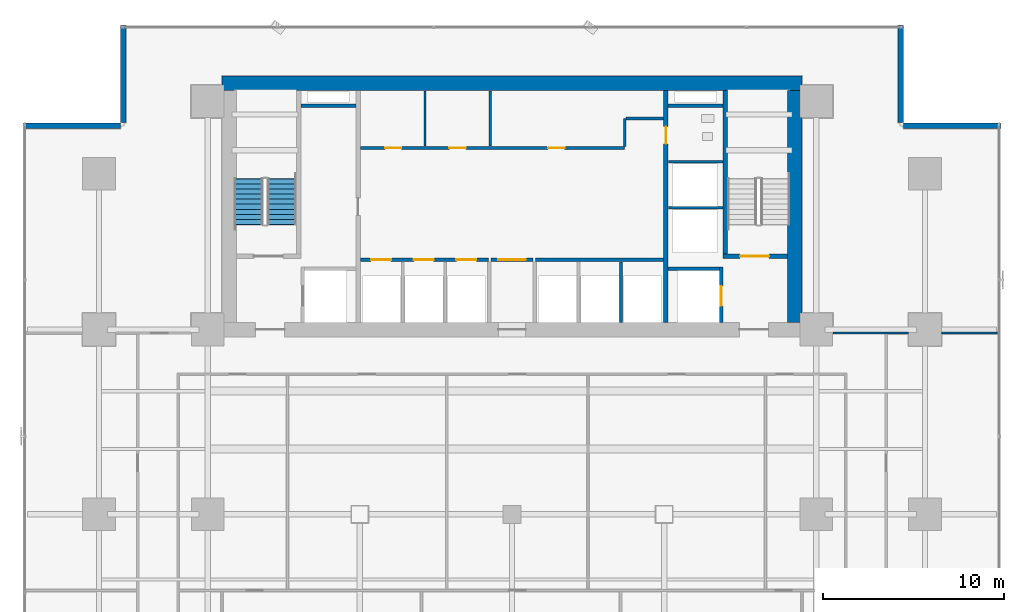
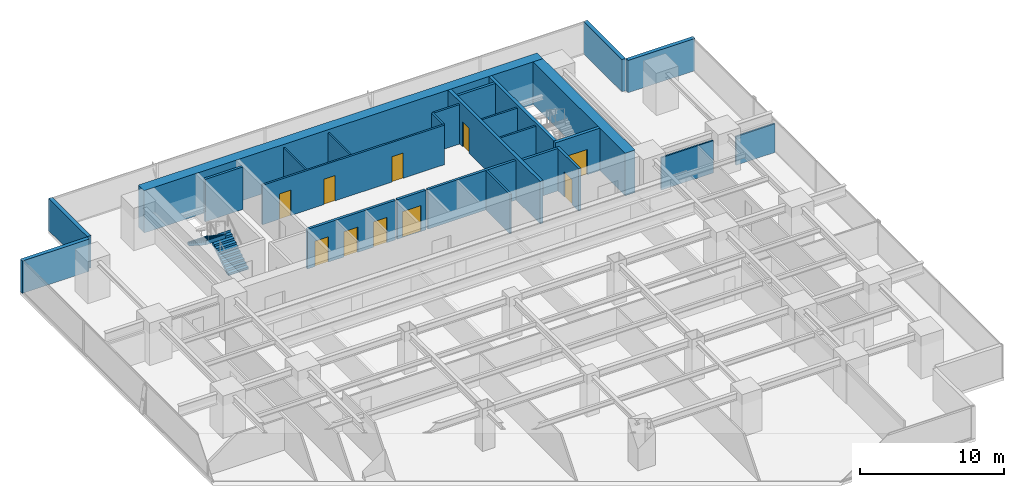
# One storey, part 26 of 33: 26 walls, 10 doors, 2 stair flights, 10 openings, 1 element without a shape of its own.
"""IFC4 building model written with IfcOpenShell, lengths in metres."""

from ifc_helpers import new_model, si_unit, direction, frame, frame_2d, origin, place, context, subcontext, project, spatial, polyline, rectangle, outline, extrude, source, transform, mapped, material, layer, layer_set, type_object, element, fill, aggregate, save


model = new_model("IFC4")

# Units and contexts
model_context = context("Model", 3, precision=1e-05, world=origin(), true_north=direction((0.0, 1.0)))
body_context = subcontext(model_context, "Body", "Model", "MODEL_VIEW")
ifc_project = project(units=[si_unit("LENGTHUNIT", "METRE"), si_unit("AREAUNIT", "SQUARE_METRE"), si_unit("VOLUMEUNIT", "CUBIC_METRE"), si_unit("PLANEANGLEUNIT", "RADIAN"), si_unit("MASSUNIT", "GRAM", prefix="KILO")], contexts=[model_context])

# Site, building, storey
site_placement = place(None, origin())
site = spatial("IfcSite", under=ifc_project, at=site_placement, CompositionType="ELEMENT")
building_placement = place(site_placement, origin())
building = spatial("IfcBuilding", under=site, at=building_placement, Name="Sumidabori Civic Tower", CompositionType="ELEMENT")
storey_placement = place(building_placement, frame((0.0, 0.0, 27.199951171875)))
storey = spatial("IfcBuildingStorey", under=building, at=storey_placement, Name="L06", CompositionType="ELEMENT", Elevation=27.199951171875)

# Walls
ifc_material_1 = material(Name="Concrete C60/75", Category="concrete")
ifc_layer_1 = layer(ifc_material_1, 0.800048828125, Name="Concrete C60/75")
ifc_layer_set_1 = layer_set([ifc_layer_1], Name="Concrete C60/75")
wall_type_1 = type_object("IfcWallType", Name="WL-CORE-800", PredefinedType="SHEAR", material=ifc_layer_set_1)
shared_shape_1 = source(origin(), body_context, "Body", "SweptSolid", [
    extrude(rectangle(XDim=32.0, YDim=0.800048828125, at=frame_2d((16.0, 0.0))), origin(), (0.0, 0.0, 1.0), 3.60009765625),
])
wall_1_placement = place(storey_placement, frame((-16.0, 23.800048828125, 0.0), z_axis=(0.0, 0.0, 1.0), x_axis=(1.0, 0.0, 0.0)))
element("IfcWall", 1, at=wall_1_placement, inside=storey, type_object=wall_type_1, Name="Core Shear Wall L06 N", PredefinedType="SHEAR", context=body_context, shape_type="MappedRepresentation", body=[
    mapped(shared_shape_1, transform((0.0, 0.0, 0.0), x_axis=(1.0, 0.0, 0.0), y_axis=(0.0, 1.0, 0.0), z_axis=(0.0, 0.0, 1.0), scale=1.0)),
])
shared_shape_2 = source(origin(), body_context, "Body", "SweptSolid", [
    extrude(rectangle(XDim=12.7998046875, YDim=0.800048828125, at=frame_2d((6.39990234375, 0.0))), origin(), (0.0, 0.0, 1.0), 3.60009765625),
])
wall_2_placement = place(storey_placement, frame((15.60009765625, 10.60009765625, 0.0), z_axis=(0.0, 0.0, 1.0), x_axis=(0.0, 1.0, 0.0)))
element("IfcWall", 2, at=wall_2_placement, inside=storey, type_object=wall_type_1, Name="Core Shear Wall L06 E", PredefinedType="SHEAR", context=body_context, shape_type="MappedRepresentation", body=[
    mapped(shared_shape_2, transform((0.0, 0.0, 0.0), x_axis=(1.0, 0.0, 0.0), y_axis=(0.0, 1.0, 0.0), z_axis=(0.0, 0.0, 1.0), scale=1.0)),
])

# Wall, opening, door
ifc_material_2 = material(Name="Concrete C50/60", Category="concrete")
ifc_layer_2 = layer(ifc_material_2, 0.25, Name="Concrete C50/60")
ifc_layer_set_2 = layer_set([ifc_layer_2], Name="Concrete C50/60")
wall_type_2 = type_object("IfcWallType", Name="WL-SHAFT-250", PredefinedType="SHEAR", material=ifc_layer_set_2)
shared_shape_3 = source(origin(), body_context, "Body", "SweptSolid", [
    extrude(rectangle(XDim=12.7998046875, YDim=0.25, at=frame_2d((6.39990234375, 0.0))), origin(), (0.0, 0.0, 1.0), 3.60009765625),
])
wall_3_placement = place(storey_placement, frame((8.5, 10.60009765625, 0.0), z_axis=(0.0, 0.0, 1.0), x_axis=(0.0, 1.0, 0.0)))
wall_3 = element("IfcWall", 3, at=wall_3_placement, inside=storey, type_object=wall_type_2, Name="Core Shear Wall L06 WEB-E", PredefinedType="SHEAR", context=body_context, shape_type="MappedRepresentation", body=[
    mapped(shared_shape_3, transform((0.0, 0.0, 0.0), x_axis=(1.0, 0.0, 0.0), y_axis=(0.0, 1.0, 0.0), z_axis=(0.0, 0.0, 1.0), scale=1.0)),
])
opening_1_placement = place(wall_3_placement, frame((9.85009765625, 0.0, 0.0)))
opening_1 = element("IfcOpeningElement", 4, at=opening_1_placement, cuts=wall_3, Name="Opening DR-2", PredefinedType="OPENING", context=body_context, shape_type="SweptSolid", body=[
    extrude(rectangle(XDim=0.949951171875, YDim=2.14990234375, at=frame_2d((0.47509765625, 1.074951171875))), frame((0.0, 0.136962890625, 0.0), z_axis=(0.0, -1.0, 0.0), x_axis=(1.0, 0.0, 0.0)), (0.0, 0.0, 1.0), 0.27392578125),
])
ifc_material_3 = material(Name="Japanese Hinoki Timber", Category="wood")
door_type_1 = type_object("IfcDoorType", Name="DR-INT-950", OperationType="NOTDEFINED", PredefinedType="DOOR", material=ifc_material_3)
shared_shape_4 = source(origin(), body_context, "Body", "SweptSolid", [
    extrude(rectangle(XDim=0.949951171875, YDim=2.14990234375, at=frame_2d((0.47509765625, 1.074951171875))), frame((0.0, 0.02490234375, 0.0), z_axis=(0.0, -1.0, 0.0), x_axis=(1.0, 0.0, 0.0)), (0.0, 0.0, 1.0), 0.050048828125),
])
door_1_placement = place(opening_1_placement, origin())
door_1 = element("IfcDoor", 5, at=door_1_placement, inside=storey, type_object=door_type_1, Name="Door DR:L06:WC-ACC", OperationType="SINGLE_SWING_RIGHT", OverallHeight=2.14990234375, OverallWidth=0.949951171875, PredefinedType="DOOR", context=body_context, shape_type="MappedRepresentation", body=[
    mapped(shared_shape_4, transform((0.0, 0.0, 0.0), x_axis=(1.0, 0.0, 0.0), y_axis=(0.0, 1.0, 0.0), z_axis=(0.0, 0.0, 1.0), scale=1.0)),
])
fill(opening_1, door_1)

shared_shape_5 = source(origin(), body_context, "Body", "SweptSolid", [
    extrude(rectangle(XDim=3.554931640625, YDim=0.25, at=frame_2d((1.77734375, 0.0))), origin(), (0.0, 0.0, 1.0), 3.60009765625),
])
wall_4_placement = place(storey_placement, frame((11.64501953125, 14.25, 0.0), z_axis=(0.0, 0.0, 1.0), x_axis=(1.0, 0.0, 0.0)))
wall_4 = element("IfcWall", 6, at=wall_4_placement, inside=storey, type_object=wall_type_2, Name="Core Shear Wall L06 ST2-S", PredefinedType="SHEAR", context=body_context, shape_type="MappedRepresentation", body=[
    mapped(shared_shape_5, transform((0.0, 0.0, 0.0), x_axis=(1.0, 0.0, 0.0), y_axis=(0.0, 1.0, 0.0), z_axis=(0.0, 0.0, 1.0), scale=1.0)),
])
opening_2_placement = place(wall_4_placement, frame((0.949951171875, 0.0, 0.0)))
opening_2 = element("IfcOpeningElement", 7, at=opening_2_placement, cuts=wall_4, Name="Opening DR-FD4", PredefinedType="OPENING", context=body_context, shape_type="SweptSolid", body=[
    extrude(rectangle(XDim=1.60009765625, YDim=2.14990234375, at=frame_2d((0.800048828125, 1.074951171875))), frame((0.0, 0.136962890625, 0.0), z_axis=(0.0, -1.0, 0.0), x_axis=(1.0, 0.0, 0.0)), (0.0, 0.0, 1.0), 0.27392578125),
])
ifc_material_4 = material(Name="Steel SN490", Category="steel")
door_type_2 = type_object("IfcDoorType", Name="DR-FD4", OperationType="DOUBLE_DOOR_SINGLE_SWING", PredefinedType="DOOR", material=ifc_material_4)
shared_shape_6 = source(origin(), body_context, "Body", "SweptSolid", [
    extrude(rectangle(XDim=1.60009765625, YDim=2.14990234375, at=frame_2d((0.800048828125, 1.074951171875))), frame((0.0, 0.02490234375, 0.0), z_axis=(0.0, -1.0, 0.0), x_axis=(1.0, 0.0, 0.0)), (0.0, 0.0, 1.0), 0.050048828125),
])
door_2_placement = place(opening_2_placement, origin())
door_2 = element("IfcDoor", 8, at=door_2_placement, inside=storey, type_object=door_type_2, Name="Door DR:L06:ST2", OperationType="DOUBLE_DOOR_SINGLE_SWING", OverallHeight=2.14990234375, OverallWidth=1.60009765625, PredefinedType="DOOR", context=body_context, shape_type="MappedRepresentation", body=[
    mapped(shared_shape_6, transform((0.0, 0.0, 0.0), x_axis=(1.0, 0.0, 0.0), y_axis=(0.0, 1.0, 0.0), z_axis=(0.0, 0.0, 1.0), scale=1.0)),
])
fill(opening_2, door_2)

# Wall
shared_shape_7 = source(origin(), body_context, "Body", "SweptSolid", [
    extrude(rectangle(XDim=9.02490234375, YDim=0.25, at=frame_2d((4.512451171875, 0.0))), origin(), (0.0, 0.0, 1.0), 3.60009765625),
])
wall_5_placement = place(storey_placement, frame((11.77001953125, 14.375, 0.0), z_axis=(0.0, 0.0, 1.0), x_axis=(0.0, 1.0, 0.0)))
element("IfcWall", 9, at=wall_5_placement, inside=storey, type_object=wall_type_2, Name="Core Shear Wall L06 ST2-W", PredefinedType="SHEAR", context=body_context, shape_type="MappedRepresentation", body=[
    mapped(shared_shape_7, transform((0.0, 0.0, 0.0), x_axis=(1.0, 0.0, 0.0), y_axis=(0.0, 1.0, 0.0), z_axis=(0.0, 0.0, 1.0), scale=1.0)),
])

# Wall, opening, door
ifc_layer_3 = layer(ifc_material_2, 0.199951171875, Name="Concrete C50/60")
ifc_layer_set_3 = layer_set([ifc_layer_3], Name="Concrete C50/60")
wall_type_3 = type_object("IfcWallType", Name="WL-SHAFT-200", PredefinedType="SHEAR", material=ifc_layer_set_3)
shared_shape_8 = source(origin(), body_context, "Body", "SweptSolid", [
    extrude(rectangle(XDim=3.0498046875, YDim=0.199951171875, at=frame_2d((1.52490234375, 0.0))), origin(), (0.0, 0.0, 1.0), 3.60009765625),
])
wall_6_placement = place(storey_placement, frame((11.550048828125, 10.60009765625, 0.0), z_axis=(0.0, 0.0, 1.0), x_axis=(0.0, 1.0, 0.0)))
wall_6 = element("IfcWall", 10, at=wall_6_placement, inside=storey, type_object=wall_type_3, Name="Core Shear Wall L06 EL2-E", PredefinedType="SHEAR", context=body_context, shape_type="MappedRepresentation", body=[
    mapped(shared_shape_8, transform((0.0, 0.0, 0.0), x_axis=(1.0, 0.0, 0.0), y_axis=(0.0, 1.0, 0.0), z_axis=(0.0, 0.0, 1.0), scale=1.0)),
])
opening_3_placement = place(wall_6_placement, frame((0.89990234375, 0.0, 0.0)))
opening_3 = element("IfcOpeningElement", 11, at=opening_3_placement, cuts=wall_6, Name="Opening LD-2", PredefinedType="OPENING", context=body_context, shape_type="SweptSolid", body=[
    extrude(rectangle(XDim=1.10009765625, YDim=2.14990234375, at=frame_2d((0.550048828125, 1.074951171875))), frame((0.0, 0.11181640625, 0.0), z_axis=(0.0, -1.0, 0.0), x_axis=(1.0, 0.0, 0.0)), (0.0, 0.0, 1.0), 0.223876953125),
])
ifc_material_5 = material(Name="Stainless Steel Hairline Finish", Category="steel")
door_type_3 = type_object("IfcDoorType", Name="DR-LD2", OperationType="DOUBLE_DOOR_SLIDING", PredefinedType="DOOR", material=ifc_material_5)
shared_shape_9 = source(origin(), body_context, "Body", "SweptSolid", [
    extrude(rectangle(XDim=1.10009765625, YDim=2.14990234375, at=frame_2d((0.550048828125, 1.074951171875))), frame((0.0, 0.02490234375, 0.0), z_axis=(0.0, -1.0, 0.0), x_axis=(1.0, 0.0, 0.0)), (0.0, 0.0, 1.0), 0.050048828125),
])
door_3_placement = place(opening_3_placement, origin())
door_3 = element("IfcDoor", 12, at=door_3_placement, inside=storey, type_object=door_type_3, Name="Door DR:L06:LD-EL2", OperationType="DOUBLE_DOOR_SLIDING", OverallHeight=2.14990234375, OverallWidth=1.10009765625, PredefinedType="DOOR", context=body_context, shape_type="MappedRepresentation", body=[
    mapped(shared_shape_9, transform((0.0, 0.0, 0.0), x_axis=(1.0, 0.0, 0.0), y_axis=(0.0, 1.0, 0.0), z_axis=(0.0, 0.0, 1.0), scale=1.0)),
])
fill(opening_3, door_3)

# Walls
shared_shape_10 = source(origin(), body_context, "Body", "SweptSolid", [
    extrude(rectangle(XDim=2.824951171875, YDim=0.199951171875, at=frame_2d((1.41259765625, 0.0))), origin(), (0.0, 0.0, 1.0), 3.60009765625),
])
wall_7_placement = place(storey_placement, frame((8.625, 13.550048828125, 0.0), z_axis=(0.0, 0.0, 1.0), x_axis=(1.0, 0.0, 0.0)))
element("IfcWall", 13, at=wall_7_placement, inside=storey, type_object=wall_type_3, Name="Core Shear Wall L06 EL2-N", PredefinedType="SHEAR", context=body_context, shape_type="MappedRepresentation", body=[
    mapped(shared_shape_10, transform((0.0, 0.0, 0.0), x_axis=(1.0, 0.0, 0.0), y_axis=(0.0, 1.0, 0.0), z_axis=(0.0, 0.0, 1.0), scale=1.0)),
])
shared_shape_11 = source(origin(), body_context, "Body", "SweptSolid", [
    extrude(rectangle(XDim=3.02001953125, YDim=0.199951171875, at=frame_2d((1.510009765625, 0.0))), origin(), (0.0, 0.0, 1.0), 3.60009765625),
])
for number, where, z_axis, x_axis, name in (
    (14, (-11.64501953125, 22.550048828125, 0.0), (0.0, 0.0, 1.0), (1.0, 0.0, 0.0), "Core Shear Wall L06 RIS1-S"),
    (15, (8.625, 22.550048828125, 0.0), (0.0, 0.0, 1.0), (1.0, 0.0, 0.0), "Core Shear Wall L06 RIS2-S"),
):
    element("IfcWall", number, at=place(storey_placement, frame(where, z_axis=z_axis, x_axis=x_axis)), inside=storey, type_object=wall_type_3, Name=name, PredefinedType="SHEAR", context=body_context, shape_type="MappedRepresentation", body=[
        mapped(shared_shape_11, transform((0.0, 0.0, 0.0), x_axis=(1.0, 0.0, 0.0), y_axis=(0.0, 1.0, 0.0), z_axis=(0.0, 0.0, 1.0), scale=1.0)),
    ])
ifc_material_6 = material(Name="Precast concrete C40/50", Category="concrete")
ifc_layer_4 = layer(ifc_material_6, 0.300048828125, Name="Precast concrete C40/50")
ifc_layer_set_4 = layer_set([ifc_layer_4], Name="Precast concrete C40/50")
wall_type_4 = type_object("IfcWallType", Name="WL-EXT-POD300", PredefinedType="STANDARD", material=ifc_layer_set_4)
shared_shape_12 = source(origin(), body_context, "Body", "SweptSolid", [
    extrude(rectangle(XDim=5.35986328125, YDim=0.300048828125, at=frame_2d((2.679931640625, 0.0))), origin(), (0.0, 0.0, 1.0), 2.739990234375),
])
for number, where, z_axis, x_axis, name in (
    (16, (26.97998046875, 21.449951171875, 0.0), (0.0, 0.0, 1.0), (-1.0, 0.0, 0.0), "Notched Corner Spandrel Band L06-05"),
    (17, (21.449951171875, 21.6201171875, 0.0), (0.0, 0.0, 1.0), (0.0, 1.0, 0.0), "Notched Corner Spandrel Band L06-06"),
    (18, (-21.449951171875, 26.97998046875, 0.0), (0.0, 0.0, 1.0), (0.0, -1.0, 0.0), "Notched Corner Spandrel Band L06-08"),
    (19, (-21.6201171875, 21.449951171875, 0.0), (0.0, 0.0, 1.0), (-1.0, 0.0, 0.0), "Notched Corner Spandrel Band L06-09"),
):
    element("IfcWall", number, at=place(storey_placement, frame(where, z_axis=z_axis, x_axis=x_axis)), inside=storey, type_object=wall_type_4, Name=name, PredefinedType="STANDARD", context=body_context, shape_type="MappedRepresentation", body=[
        mapped(shared_shape_12, transform((0.0, 0.0, 0.0), x_axis=(1.0, 0.0, 0.0), y_axis=(0.0, 1.0, 0.0), z_axis=(0.0, 0.0, 1.0), scale=1.0)),
    ])
ifc_material_7 = material(Name="Gypsum Plasterboard Acoustic Partition")
ifc_layer_5 = layer(ifc_material_7, 0.14990234375, Name="Gypsum Plasterboard Acoustic Partition")
ifc_layer_set_5 = layer_set([ifc_layer_5], Name="Gypsum Plasterboard Acoustic Partition")
wall_type_5 = type_object("IfcWallType", Name="WL-PART-150", PredefinedType="PARTITIONING", material=ifc_layer_set_5)
shared_shape_13 = source(origin(), body_context, "Body", "SweptSolid", [
    extrude(rectangle(XDim=3.010009765625, YDim=0.14990234375, at=frame_2d((1.5048828125, 0.0))), origin(), (0.0, 0.0, 1.0), 3.360107421875),
])
for number, where, z_axis, x_axis, name in (
    (20, (8.6298828125, 16.919921875, 0.0), (0.0, 0.0, 1.0), (1.0, 0.0, 0.0), "Interior Partition WL:L06:DIV-OBS1"),
    (21, (8.6298828125, 19.469970703125, 0.0), (0.0, 0.0, 1.0), (1.0, 0.0, 0.0), "Interior Partition WL:L06:DIV-OBS2"),
):
    element("IfcWall", number, at=place(storey_placement, frame(where, z_axis=z_axis, x_axis=x_axis)), inside=storey, type_object=wall_type_5, Name=name, PredefinedType="PARTITIONING", context=body_context, shape_type="MappedRepresentation", body=[
        mapped(shared_shape_13, transform((0.0, 0.0, 0.0), x_axis=(1.0, 0.0, 0.0), y_axis=(0.0, 1.0, 0.0), z_axis=(0.0, 0.0, 1.0), scale=1.0)),
    ])

# Wall, openings, doors
ifc_material_8 = material(Name="Gypsum Plasterboard Fire Partition")
ifc_layer_6 = layer(ifc_material_8, 0.199951171875, Name="Gypsum Plasterboard Fire Partition")
ifc_layer_set_6 = layer_set([ifc_layer_6], Name="Gypsum Plasterboard Fire Partition")
wall_type_6 = type_object("IfcWallType", Name="WL-PART-FIRE", PredefinedType="PARTITIONING", material=ifc_layer_set_6)
shared_shape_14 = source(origin(), body_context, "Body", "SweptSolid", [
    extrude(rectangle(XDim=7.070068359375, YDim=0.199951171875, at=frame_2d((3.53515625, 0.0))), origin(), (0.0, 0.0, 1.0), 3.360107421875),
])
wall_8_placement = place(storey_placement, frame((-8.3701171875, 14.050048828125, 0.0), z_axis=(0.0, 0.0, 1.0), x_axis=(1.0, 0.0, 0.0)))
wall_8 = element("IfcWall", 22, at=wall_8_placement, inside=storey, type_object=wall_type_6, Name="Interior Partition WL:L06:CBAND-SW", PredefinedType="PARTITIONING", context=body_context, shape_type="MappedRepresentation", body=[
    mapped(shared_shape_14, transform((0.0, 0.0, 0.0), x_axis=(1.0, 0.0, 0.0), y_axis=(0.0, 1.0, 0.0), z_axis=(0.0, 0.0, 1.0), scale=1.0)),
])
opening_4_placement = place(wall_8_placement, frame((0.60009765625, 0.0, 0.0)))
opening_4 = element("IfcOpeningElement", 23, at=opening_4_placement, cuts=wall_8, Name="Opening LD-1", PredefinedType="OPENING", context=body_context, shape_type="SweptSolid", body=[
    extrude(rectangle(XDim=1.10009765625, YDim=2.14990234375, at=frame_2d((0.550048828125, 1.074951171875))), frame((0.0, 0.11181640625, 0.0), z_axis=(0.0, -1.0, 0.0), x_axis=(1.0, 0.0, 0.0)), (0.0, 0.0, 1.0), 0.223876953125),
])
opening_5_placement = place(wall_8_placement, frame((2.949951171875, 0.0, 0.0)))
opening_5 = element("IfcOpeningElement", 24, at=opening_5_placement, cuts=wall_8, Name="Opening LD-1", PredefinedType="OPENING", context=body_context, shape_type="SweptSolid", body=[
    extrude(rectangle(XDim=1.10009765625, YDim=2.14990234375, at=frame_2d((0.550048828125, 1.074951171875))), frame((0.0, 0.11181640625, 0.0), z_axis=(0.0, -1.0, 0.0), x_axis=(1.0, 0.0, 0.0)), (0.0, 0.0, 1.0), 0.223876953125),
])
opening_6_placement = place(wall_8_placement, frame((5.300048828125, 0.0, 0.0)))
opening_6 = element("IfcOpeningElement", 25, at=opening_6_placement, cuts=wall_8, Name="Opening LD-1", PredefinedType="OPENING", context=body_context, shape_type="SweptSolid", body=[
    extrude(rectangle(XDim=1.10009765625, YDim=2.14990234375, at=frame_2d((0.550048828125, 1.074951171875))), frame((0.0, 0.11181640625, 0.0), z_axis=(0.0, -1.0, 0.0), x_axis=(1.0, 0.0, 0.0)), (0.0, 0.0, 1.0), 0.223876953125),
])
door_type_4 = type_object("IfcDoorType", Name="DR-LD1", OperationType="DOUBLE_DOOR_SLIDING", PredefinedType="DOOR", material=ifc_material_5)
door_4_placement = place(opening_4_placement, origin())
door_4 = element("IfcDoor", 26, at=door_4_placement, inside=storey, type_object=door_type_4, Name="Door DR:L06:LD-PLL1", OperationType="DOUBLE_DOOR_SLIDING", OverallHeight=2.14990234375, OverallWidth=1.10009765625, PredefinedType="DOOR", context=body_context, shape_type="MappedRepresentation", body=[
    mapped(shared_shape_9, transform((0.0, 0.0, 0.0), x_axis=(1.0, 0.0, 0.0), y_axis=(0.0, 1.0, 0.0), z_axis=(0.0, 0.0, 1.0), scale=1.0)),
])
fill(opening_4, door_4)
door_5_placement = place(opening_5_placement, origin())
door_5 = element("IfcDoor", 27, at=door_5_placement, inside=storey, type_object=door_type_4, Name="Door DR:L06:LD-PLL2", OperationType="DOUBLE_DOOR_SLIDING", OverallHeight=2.14990234375, OverallWidth=1.10009765625, PredefinedType="DOOR", context=body_context, shape_type="MappedRepresentation", body=[
    mapped(shared_shape_9, transform((0.0, 0.0, 0.0), x_axis=(1.0, 0.0, 0.0), y_axis=(0.0, 1.0, 0.0), z_axis=(0.0, 0.0, 1.0), scale=1.0)),
])
fill(opening_5, door_5)
door_6_placement = place(opening_6_placement, origin())
door_6 = element("IfcDoor", 28, at=door_6_placement, inside=storey, type_object=door_type_4, Name="Door DR:L06:LD-PLL3", OperationType="DOUBLE_DOOR_SLIDING", OverallHeight=2.14990234375, OverallWidth=1.10009765625, PredefinedType="DOOR", context=body_context, shape_type="MappedRepresentation", body=[
    mapped(shared_shape_9, transform((0.0, 0.0, 0.0), x_axis=(1.0, 0.0, 0.0), y_axis=(0.0, 1.0, 0.0), z_axis=(0.0, 0.0, 1.0), scale=1.0)),
])
fill(opening_6, door_6)

# Wall
wall_9_placement = place(storey_placement, frame((1.300048828125, 14.050048828125, 0.0), z_axis=(0.0, 0.0, 1.0), x_axis=(1.0, 0.0, 0.0)))
element("IfcWall", 29, at=wall_9_placement, inside=storey, type_object=wall_type_6, Name="Interior Partition WL:L06:CBAND-SE", PredefinedType="PARTITIONING", context=body_context, shape_type="MappedRepresentation", body=[
    mapped(shared_shape_14, transform((0.0, 0.0, 0.0), x_axis=(1.0, 0.0, 0.0), y_axis=(0.0, 1.0, 0.0), z_axis=(0.0, 0.0, 1.0), scale=1.0)),
])

# Wall, opening, door
shared_shape_15 = source(origin(), body_context, "Body", "SweptSolid", [
    extrude(rectangle(XDim=2.2998046875, YDim=0.199951171875, at=frame_2d((1.14990234375, 0.0))), origin(), (0.0, 0.0, 1.0), 3.360107421875),
])
wall_10_placement = place(storey_placement, frame((-1.14990234375, 14.050048828125, 0.0), z_axis=(0.0, 0.0, 1.0), x_axis=(1.0, 0.0, 0.0)))
wall_10 = element("IfcWall", 30, at=wall_10_placement, inside=storey, type_object=wall_type_6, Name="Interior Partition WL:L06:THROAT-N", PredefinedType="PARTITIONING", context=body_context, shape_type="MappedRepresentation", body=[
    mapped(shared_shape_15, transform((0.0, 0.0, 0.0), x_axis=(1.0, 0.0, 0.0), y_axis=(0.0, 1.0, 0.0), z_axis=(0.0, 0.0, 1.0), scale=1.0)),
])
opening_7_placement = place(wall_10_placement, frame((0.39990234375, 0.0, 0.0)))
opening_7 = element("IfcOpeningElement", 31, at=opening_7_placement, cuts=wall_10, Name="Opening DR-FD3", PredefinedType="OPENING", context=body_context, shape_type="SweptSolid", body=[
    extrude(rectangle(XDim=1.5, YDim=2.199951171875, at=frame_2d((0.75, 1.10009765625))), frame((0.0, 0.11181640625, 0.0), z_axis=(0.0, -1.0, 0.0), x_axis=(1.0, 0.0, 0.0)), (0.0, 0.0, 1.0), 0.223876953125),
])
door_type_5 = type_object("IfcDoorType", Name="DR-FD-DBL", OperationType="DOUBLE_DOOR_SINGLE_SWING", PredefinedType="DOOR", material=ifc_material_4)
shared_shape_16 = source(origin(), body_context, "Body", "SweptSolid", [
    extrude(rectangle(XDim=1.5, YDim=2.199951171875, at=frame_2d((0.75, 1.10009765625))), frame((0.0, 0.02490234375, 0.0), z_axis=(0.0, -1.0, 0.0), x_axis=(1.0, 0.0, 0.0)), (0.0, 0.0, 1.0), 0.050048828125),
])
door_7_placement = place(opening_7_placement, origin())
door_7 = element("IfcDoor", 32, at=door_7_placement, inside=storey, type_object=door_type_5, Name="Door DR:L06:THROAT-IN", OperationType="DOUBLE_DOOR_SINGLE_SWING", OverallHeight=2.199951171875, OverallWidth=1.5, PredefinedType="DOOR", context=body_context, shape_type="MappedRepresentation", body=[
    mapped(shared_shape_16, transform((0.0, 0.0, 0.0), x_axis=(1.0, 0.0, 0.0), y_axis=(0.0, 1.0, 0.0), z_axis=(0.0, 0.0, 1.0), scale=1.0)),
])
fill(opening_7, door_7)

# Wall, openings, doors
shared_shape_17 = source(origin(), body_context, "Body", "SweptSolid", [
    extrude(rectangle(XDim=14.590087890625, YDim=0.14990234375, at=frame_2d((7.294921875, 0.0))), origin(), (0.0, 0.0, 1.0), 3.360107421875),
])
wall_11_placement = place(storey_placement, frame((-8.3701171875, 20.219970703125, 0.0), z_axis=(0.0, 0.0, 1.0), x_axis=(1.0, 0.0, 0.0)))
wall_11 = element("IfcWall", 33, at=wall_11_placement, inside=storey, type_object=wall_type_5, Name="Interior Partition WL:L06:CBAND-M", PredefinedType="PARTITIONING", context=body_context, shape_type="MappedRepresentation", body=[
    mapped(shared_shape_17, transform((0.0, 0.0, 0.0), x_axis=(1.0, 0.0, 0.0), y_axis=(0.0, 1.0, 0.0), z_axis=(0.0, 0.0, 1.0), scale=1.0)),
])
opening_8_placement = place(wall_11_placement, frame((1.360107421875, 0.0, 0.0)))
opening_8 = element("IfcOpeningElement", 34, at=opening_8_placement, cuts=wall_11, Name="Opening DR-1", PredefinedType="OPENING", context=body_context, shape_type="SweptSolid", body=[
    extrude(rectangle(XDim=0.89990234375, YDim=2.14990234375, at=frame_2d((0.449951171875, 1.074951171875))), frame((0.0, 0.0869140625, 0.0), z_axis=(0.0, -1.0, 0.0), x_axis=(1.0, 0.0, 0.0)), (0.0, 0.0, 1.0), 0.173828125),
])
opening_9_placement = place(wall_11_placement, frame((4.919921875, 0.0, 0.0)))
opening_9 = element("IfcOpeningElement", 35, at=opening_9_placement, cuts=wall_11, Name="Opening DR-1", PredefinedType="OPENING", context=body_context, shape_type="SweptSolid", body=[
    extrude(rectangle(XDim=0.89990234375, YDim=2.14990234375, at=frame_2d((0.449951171875, 1.074951171875))), frame((0.0, 0.0869140625, 0.0), z_axis=(0.0, -1.0, 0.0), x_axis=(1.0, 0.0, 0.0)), (0.0, 0.0, 1.0), 0.173828125),
])
opening_10_placement = place(wall_11_placement, frame((10.3701171875, 0.0, 0.0)))
opening_10 = element("IfcOpeningElement", 36, at=opening_10_placement, cuts=wall_11, Name="Opening DR-1", PredefinedType="OPENING", context=body_context, shape_type="SweptSolid", body=[
    extrude(rectangle(XDim=0.89990234375, YDim=2.14990234375, at=frame_2d((0.449951171875, 1.074951171875))), frame((0.0, 0.0869140625, 0.0), z_axis=(0.0, -1.0, 0.0), x_axis=(1.0, 0.0, 0.0)), (0.0, 0.0, 1.0), 0.173828125),
])
door_type_6 = type_object("IfcDoorType", Name="DR-INT-900", OperationType="NOTDEFINED", PredefinedType="DOOR", material=ifc_material_3)
shared_shape_18 = source(origin(), body_context, "Body", "SweptSolid", [
    extrude(rectangle(XDim=0.89990234375, YDim=2.14990234375, at=frame_2d((0.449951171875, 1.074951171875))), frame((0.0, 0.02490234375, 0.0), z_axis=(0.0, -1.0, 0.0), x_axis=(1.0, 0.0, 0.0)), (0.0, 0.0, 1.0), 0.050048828125),
])
door_8_placement = place(opening_8_placement, origin())
door_8 = element("IfcDoor", 37, at=door_8_placement, inside=storey, type_object=door_type_6, Name="Door DR:L06:CB-1", OperationType="SINGLE_SWING_LEFT", OverallHeight=2.14990234375, OverallWidth=0.89990234375, PredefinedType="DOOR", context=body_context, shape_type="MappedRepresentation", body=[
    mapped(shared_shape_18, transform((0.0, 0.0, 0.0), x_axis=(1.0, 0.0, 0.0), y_axis=(0.0, 1.0, 0.0), z_axis=(0.0, 0.0, 1.0), scale=1.0)),
])
fill(opening_8, door_8)
door_9_placement = place(opening_9_placement, origin())
door_9 = element("IfcDoor", 38, at=door_9_placement, inside=storey, type_object=door_type_6, Name="Door DR:L06:CB-2", OperationType="SINGLE_SWING_RIGHT", OverallHeight=2.14990234375, OverallWidth=0.89990234375, PredefinedType="DOOR", context=body_context, shape_type="MappedRepresentation", body=[
    mapped(shared_shape_18, transform((0.0, 0.0, 0.0), x_axis=(1.0, 0.0, 0.0), y_axis=(0.0, 1.0, 0.0), z_axis=(0.0, 0.0, 1.0), scale=1.0)),
])
fill(opening_9, door_9)
door_10_placement = place(opening_10_placement, origin())
door_10 = element("IfcDoor", 39, at=door_10_placement, inside=storey, type_object=door_type_6, Name="Door DR:L06:CB-3", OperationType="SINGLE_SWING_LEFT", OverallHeight=2.14990234375, OverallWidth=0.89990234375, PredefinedType="DOOR", context=body_context, shape_type="MappedRepresentation", body=[
    mapped(shared_shape_18, transform((0.0, 0.0, 0.0), x_axis=(1.0, 0.0, 0.0), y_axis=(0.0, 1.0, 0.0), z_axis=(0.0, 0.0, 1.0), scale=1.0)),
])
fill(opening_10, door_10)

# Walls
shared_shape_19 = source(origin(), body_context, "Body", "SweptSolid", [
    extrude(rectangle(XDim=1.550048828125, YDim=0.14990234375, at=frame_2d((0.77490234375, 0.0))), origin(), (0.0, 0.0, 1.0), 3.360107421875),
])
wall_12_placement = place(storey_placement, frame((6.219970703125, 20.300048828125, 0.0), z_axis=(0.0, 0.0, 1.0), x_axis=(0.0, 1.0, 0.0)))
element("IfcWall", 40, at=wall_12_placement, inside=storey, type_object=wall_type_5, Name="Interior Partition WL:L06:CBAND-ME1", PredefinedType="PARTITIONING", context=body_context, shape_type="MappedRepresentation", body=[
    mapped(shared_shape_19, transform((0.0, 0.0, 0.0), x_axis=(1.0, 0.0, 0.0), y_axis=(0.0, 1.0, 0.0), z_axis=(0.0, 0.0, 1.0), scale=1.0)),
])
shared_shape_20 = source(origin(), body_context, "Body", "SweptSolid", [
    extrude(rectangle(XDim=2.070068359375, YDim=0.14990234375, at=frame_2d((1.03515625, 0.0))), origin(), (0.0, 0.0, 1.0), 3.360107421875),
])
wall_13_placement = place(storey_placement, frame((6.300048828125, 21.85009765625, 0.0), z_axis=(0.0, 0.0, 1.0), x_axis=(1.0, 0.0, 0.0)))
element("IfcWall", 41, at=wall_13_placement, inside=storey, type_object=wall_type_5, Name="Interior Partition WL:L06:CBAND-ME2", PredefinedType="PARTITIONING", context=body_context, shape_type="MappedRepresentation", body=[
    mapped(shared_shape_20, transform((0.0, 0.0, 0.0), x_axis=(1.0, 0.0, 0.0), y_axis=(0.0, 1.0, 0.0), z_axis=(0.0, 0.0, 1.0), scale=1.0)),
])
shared_shape_21 = source(origin(), body_context, "Body", "SweptSolid", [
    extrude(rectangle(XDim=3.33984375, YDim=0.14990234375, at=frame_2d((1.669921875, 0.0))), origin(), (0.0, 0.0, 1.0), 3.360107421875),
])
wall_14_placement = place(storey_placement, frame((6.02001953125, 10.60009765625, 0.0), z_axis=(0.0, 0.0, 1.0), x_axis=(0.0, 1.0, 0.0)))
element("IfcWall", 42, at=wall_14_placement, inside=storey, type_object=wall_type_5, Name="Interior Partition WL:L06:DIV-PLM2", PredefinedType="PARTITIONING", context=body_context, shape_type="MappedRepresentation", body=[
    mapped(shared_shape_21, transform((0.0, 0.0, 0.0), x_axis=(1.0, 0.0, 0.0), y_axis=(0.0, 1.0, 0.0), z_axis=(0.0, 0.0, 1.0), scale=1.0)),
])
ifc_layer_7 = layer(ifc_material_7, 0.1201171875, Name="Gypsum Plasterboard Acoustic Partition")
ifc_layer_set_7 = layer_set([ifc_layer_7], Name="Gypsum Plasterboard Acoustic Partition")
wall_type_7 = type_object("IfcWallType", Name="WL-PART-120", PredefinedType="PARTITIONING", material=ifc_layer_set_7)
shared_shape_22 = source(origin(), body_context, "Body", "SweptSolid", [
    extrude(rectangle(XDim=3.0400390625, YDim=0.1201171875, at=frame_2d((1.52001953125, 0.0))), origin(), (0.0, 0.0, 1.0), 3.360107421875),
])
for number, where, z_axis, x_axis, name in (
    (43, (-4.800048828125, 20.320068359375, 0.0), (0.0, 0.0, 1.0), (0.0, 1.0, 0.0), "Interior Partition WL:L06:LV8-S1"),
    (44, (-1.199951171875, 20.320068359375, 0.0), (0.0, 0.0, 1.0), (0.0, 1.0, 0.0), "Interior Partition WL:L06:LV8-S2"),
):
    element("IfcWall", number, at=place(storey_placement, frame(where, z_axis=z_axis, x_axis=x_axis)), inside=storey, type_object=wall_type_7, Name=name, PredefinedType="PARTITIONING", context=body_context, shape_type="MappedRepresentation", body=[
        mapped(shared_shape_22, transform((0.0, 0.0, 0.0), x_axis=(1.0, 0.0, 0.0), y_axis=(0.0, 1.0, 0.0), z_axis=(0.0, 0.0, 1.0), scale=1.0)),
    ])
shared_shape_23 = source(origin(), body_context, "Body", "SweptSolid", [
    extrude(rectangle(XDim=3.14013671875, YDim=0.1201171875, at=frame_2d((1.570068359375, 0.0))), origin(), (0.0, 0.0, 1.0), 2.43505859375),
])
wall_15_placement = place(storey_placement, frame((23.7099609375, 10.0, 0.0), z_axis=(0.0, 0.0, 1.0), x_axis=(1.0, 0.0, 0.0)))
element("IfcWall", 45, at=wall_15_placement, inside=storey, type_object=wall_type_7, Name="Interior Partition WL:L06:FLK-NE-2", PredefinedType="PARTITIONING", context=body_context, shape_type="MappedRepresentation", body=[
    mapped(shared_shape_23, transform((0.0, 0.0, 0.0), x_axis=(1.0, 0.0, 0.0), y_axis=(0.0, 1.0, 0.0), z_axis=(0.0, 0.0, 1.0), scale=1.0)),
])
shared_shape_24 = source(origin(), body_context, "Body", "SweptSolid", [
    extrude(rectangle(XDim=4.179931640625, YDim=0.1201171875, at=frame_2d((2.08984375, 0.0))), origin(), (0.0, 0.0, 1.0), 2.7451171875),
])
wall_16_placement = place(storey_placement, frame((17.7099609375, 10.0, 0.0), z_axis=(0.0, 0.0, 1.0), x_axis=(1.0, 0.0, 0.0)))
element("IfcWall", 46, at=wall_16_placement, inside=storey, type_object=wall_type_7, Name="Interior Partition WL:L06:FLK-NE-1", PredefinedType="PARTITIONING", context=body_context, shape_type="MappedRepresentation", body=[
    mapped(shared_shape_24, transform((0.0, 0.0, 0.0), x_axis=(1.0, 0.0, 0.0), y_axis=(0.0, 1.0, 0.0), z_axis=(0.0, 0.0, 1.0), scale=1.0)),
])

# Stair, stair flights
ifc_material_9 = material(Name="Concrete C40/50", Category="concrete")
stair_type = type_object("IfcStairType", Name="ST-CORE-1600", PredefinedType="HALF_TURN_STAIR", material=ifc_material_9)
stair_placement = place(storey_placement, origin())
stair = element("IfcStair", 47, at=stair_placement, inside=storey, type_object=stair_type, Name="L06 ST-1", PredefinedType="HALF_TURN_STAIR")
stair_flight_type = type_object("IfcStairFlightType", Name="SF-CORE-1600", PredefinedType="STRAIGHT", material=ifc_material_9)
shared_shape_25 = source(origin(), body_context, "Body", "SweptSolid", [
    extrude(outline(polyline([(-0.02490234375, 0.0), (-0.02490234375, 0.0400390625), (0.0, 0.0400390625), (0.0, 0.179931640625), (0.280029296875, 0.179931640625), (0.280029296875, 0.360107421875), (0.56005859375, 0.360107421875), (0.56005859375, 0.5400390625), (0.840087890625, 0.5400390625), (0.840087890625, 0.719970703125), (1.1201171875, 0.719970703125), (1.1201171875, 0.89990234375), (1.39990234375, 0.89990234375), (1.39990234375, 1.080078125), (1.679931640625, 1.080078125), (1.679931640625, 1.260009765625), (1.9599609375, 1.260009765625), (1.9599609375, 1.43994140625), (2.239990234375, 1.43994140625), (2.239990234375, 1.6201171875), (2.52001953125, 1.6201171875), (2.52001953125, 1.800048828125), (2.544921875, 1.800048828125), (2.544921875, 1.650146484375), (2.52001953125, 1.44189453125), (0.277099609375, 0.0), (-0.02490234375, 0.0)])), frame((0.0, 0.800048828125, 0.0), z_axis=(0.0, -1.0, 0.0), x_axis=(1.0, 0.0, 0.0)), (0.0, 0.0, 1.0), 1.60009765625),
])
stair_flight_1_placement = place(storey_placement, frame((-12.699951171875, 16.0, 0.0), z_axis=(0.0, 0.0, 1.0), x_axis=(0.0, 1.0, 0.0)))
stair_flight_1 = element("IfcStairFlight", 48, at=stair_flight_1_placement, type_object=stair_flight_type, Name="ST-1 flight 1", NumberOfRisers=10, NumberOfTreads=9, PredefinedType="STRAIGHT", RiserHeight=0.18, TreadLength=0.28, context=body_context, shape_type="MappedRepresentation", body=[
    mapped(shared_shape_25, transform((0.0, 0.0, 0.0), x_axis=(1.0, 0.0, 0.0), y_axis=(0.0, 1.0, 0.0), z_axis=(0.0, 0.0, 1.0), scale=1.0)),
])
stair_flight_2_placement = place(storey_placement, frame((-14.5400390625, 18.52001953125, 1.800048828125), z_axis=(0.0, 0.0, 1.0), x_axis=(0.0, -1.0, 0.0)))
stair_flight_2 = element("IfcStairFlight", 49, at=stair_flight_2_placement, type_object=stair_flight_type, Name="ST-1 flight 2", NumberOfRisers=10, NumberOfTreads=9, PredefinedType="STRAIGHT", RiserHeight=0.18, TreadLength=0.28, context=body_context, shape_type="MappedRepresentation", body=[
    mapped(shared_shape_25, transform((0.0, 0.0, 0.0), x_axis=(1.0, 0.0, 0.0), y_axis=(0.0, 1.0, 0.0), z_axis=(0.0, 0.0, 1.0), scale=1.0)),
])
aggregate(stair, [stair_flight_1, stair_flight_2])

save(model, "model.ifc")
